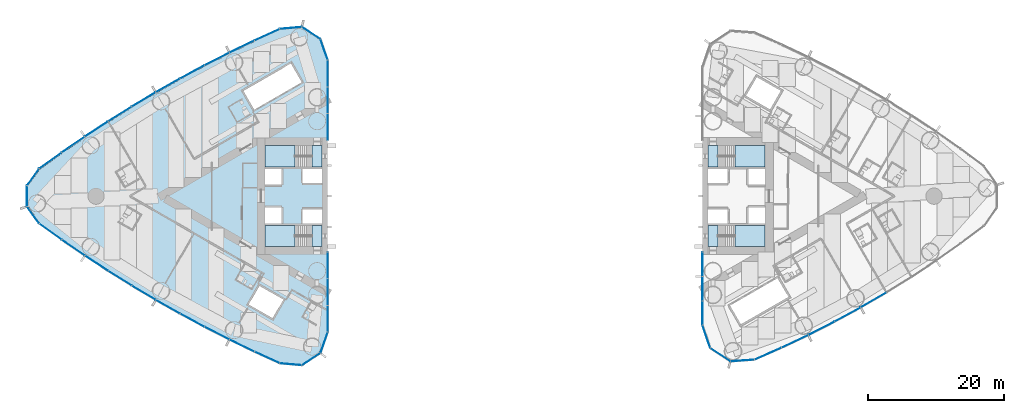
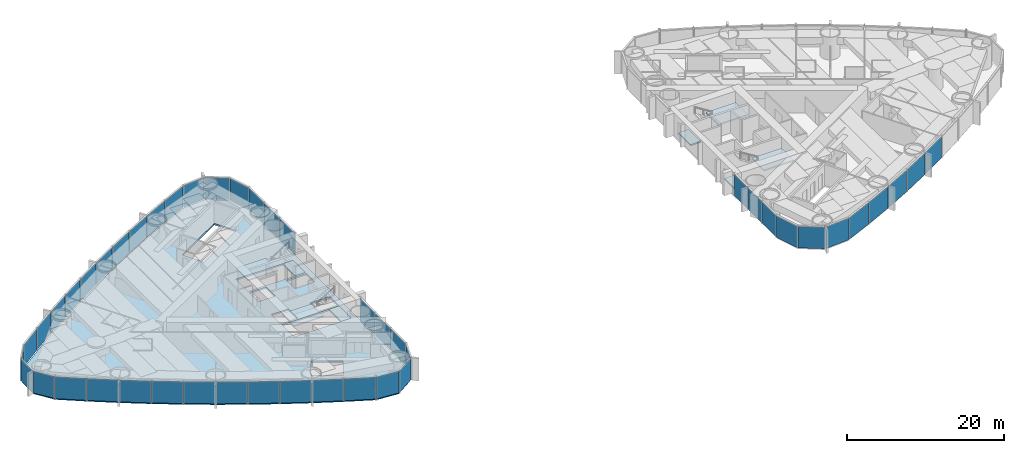
# One storey, part 9 of 18: 46 plates, 9 slabs, 6 elements without a shape of their own.
"""IFC4 building model written with IfcOpenShell, lengths in metres."""

from ifc_helpers import new_model, si_unit, direction, frame, origin, origin_2d, place, context, subcontext, project, spatial, polyline, rectangle, outline, extrude, material, layer, layer_set, type_object, element, aggregate, save


model = new_model("IFC4")

# Units and contexts
model_context = context("Model", 3, precision=1e-05, world=origin(), true_north=direction((0.0, 1.0)))
body_context = subcontext(model_context, "Body", "Model", "MODEL_VIEW")
ifc_project = project(units=[si_unit("LENGTHUNIT", "METRE"), si_unit("AREAUNIT", "SQUARE_METRE"), si_unit("VOLUMEUNIT", "CUBIC_METRE"), si_unit("PLANEANGLEUNIT", "RADIAN"), si_unit("MASSUNIT", "GRAM", prefix="KILO")], contexts=[model_context])

# Site, building, storey
site_placement = place(None, origin())
site = spatial("IfcSite", under=ifc_project, at=site_placement, CompositionType="ELEMENT")
building_placement = place(site_placement, origin())
building = spatial("IfcBuilding", under=site, at=building_placement, Name="Lancet Gate Hotel", CompositionType="ELEMENT")
storey_placement = place(building_placement, frame((0.0, 0.0, 104.60009765625)))
storey = spatial("IfcBuildingStorey", under=building, at=storey_placement, Name="L27", CompositionType="ELEMENT", Elevation=104.60009765625)

# Slab
ifc_material_1 = material(Name="Concrete C50/60", Category="concrete")
ifc_layer_1 = layer(ifc_material_1, 0.25)
ifc_layer_set_1 = layer_set([ifc_layer_1], Name="Floor slab 250")
slab_type_1 = type_object("IfcSlabType", Name="Floor slab 250", PredefinedType="FLOOR", material=ifc_layer_set_1)
slab_1_placement = place(storey_placement, frame((0.0, 0.0, -0.25)))
element("IfcSlab", 1, at=slab_1_placement, inside=storey, type_object=slab_type_1, Name="T1 L27 floor slab", PredefinedType="FLOOR", context=body_context, shape_type="SweptSolid", body=[
    extrude(outline(polyline([(-27.5, 8.60009765625), (-27.6201171875, 8.60009765625), (-27.6201171875, 19.950927734375), (-28.65966796875, 22.970947265625), (-31.320068359375, 24.69921875), (-34.5009765625, 24.421630859375), (-38.201416015625, 22.727783203125), (-41.8818359375, 20.946044921875), (-45.523193359375, 19.085693359375), (-49.12353515625, 17.147216796875), (-52.681396484375, 15.131591796875), (-56.195068359375, 13.0400390625), (-59.662841796875, 10.873291015625), (-63.0830078125, 8.63232421875), (-66.454345703125, 6.318115234375), (-69.76025390625, 3.94287109375), (-71.523193359375, 1.49755859375), (-71.523193359375, -1.49755859375), (-69.76025390625, -3.94287109375), (-66.454345703125, -6.318115234375), (-63.0830078125, -8.63232421875), (-59.662841796875, -10.873291015625), (-56.195068359375, -13.0400390625), (-52.681396484375, -15.131591796875), (-49.12353515625, -17.147216796875), (-45.523193359375, -19.085693359375), (-41.8818359375, -20.946044921875), (-38.201416015625, -22.727783203125), (-34.5009765625, -24.421630859375), (-31.320068359375, -24.69921875), (-28.65966796875, -22.970947265625), (-27.6201171875, -19.950927734375), (-27.6201171875, -8.60009765625), (-27.5, -8.60009765625), (-27.5, -8.199951171875), (-27.5, 8.199951171875), (-27.5, 8.60009765625)]), holes=[polyline([(-36.699951171875, 7.39990234375), (-36.699951171875, 4.300048828125), (-28.300048828125, 4.300048828125), (-28.300048828125, 7.39990234375), (-36.699951171875, 7.39990234375)]), polyline([(-28.300048828125, 4.0), (-31.199951171875, 4.0), (-31.199951171875, 1.89990234375), (-28.300048828125, 1.89990234375), (-28.300048828125, 4.0)]), polyline([(-34.25, 4.0), (-36.699951171875, 4.0), (-36.699951171875, 1.64990234375), (-34.25, 1.64990234375), (-34.25, 4.0)]), polyline([(-36.699951171875, -1.64990234375), (-36.699951171875, -4.0), (-34.25, -4.0), (-34.25, -1.64990234375), (-36.699951171875, -1.64990234375)]), polyline([(-28.300048828125, -1.89990234375), (-31.199951171875, -1.89990234375), (-31.199951171875, -4.0), (-28.300048828125, -4.0), (-28.300048828125, -1.89990234375)]), polyline([(-28.300048828125, -4.300048828125), (-36.699951171875, -4.300048828125), (-36.699951171875, -7.39990234375), (-28.300048828125, -7.39990234375), (-28.300048828125, -4.300048828125)]), polyline([(-31.2900390625, 16.73095703125), (-32.889892578125, 19.501953125), (-39.904052734375, 15.451904296875), (-38.303955078125, 12.680908203125), (-31.2900390625, 16.73095703125)]), polyline([(-33.97412109375, -15.180908203125), (-37.52490234375, -13.131103515625), (-39.125, -15.902099609375), (-35.573974609375, -17.951904296875), (-33.97412109375, -15.180908203125)])]), origin(), (0.0, 0.0, 1.0), 0.25),
])

# Stair, slabs
ifc_material_2 = material(Name="Exit stair 20 risers 1500")
stair_type = type_object("IfcStairType", Name="Exit stair 20 risers 1500", PredefinedType="HALF_TURN_STAIR", material=ifc_material_2)
stair_1_placement = place(storey_placement, origin())
stair_1 = element("IfcStair", 2, at=stair_1_placement, inside=storey, type_object=stair_type, Name="T1 stair 1 L27", PredefinedType="HALF_TURN_STAIR")
ifc_material_3 = material(Name="Concrete C40/50", Category="concrete")
ifc_layer_2 = layer(ifc_material_3, 0.199951171875)
ifc_layer_set_2 = layer_set([ifc_layer_2], Name="Stair landing 200")
slab_type_2 = type_object("IfcSlabType", Name="Stair landing 200", PredefinedType="LANDING", material=ifc_layer_set_2)
slab_2_placement = place(storey_placement, frame((0.0, 0.0, -0.2001953125)))
slab_2 = element("IfcSlab", 3, at=slab_2_placement, type_object=slab_type_2, Name="ST1 landing 1", PredefinedType="LANDING", context=body_context, shape_type="SweptSolid", body=[
    extrude(outline(polyline([(-28.300048828125, 7.39990234375), (-29.800048828125, 7.39990234375), (-29.800048828125, 4.300048828125), (-28.300048828125, 4.300048828125), (-28.300048828125, 7.39990234375)])), origin(), (0.0, 0.0, 1.0), 0.2001953125),
])
slab_3_placement = place(storey_placement, frame((0.0, 0.0, 1.5498046875)))
slab_3 = element("IfcSlab", 4, at=slab_3_placement, type_object=slab_type_2, Name="ST1 landing 2", PredefinedType="LANDING", context=body_context, shape_type="SweptSolid", body=[
    extrude(outline(polyline([(-32.320068359375, 7.39990234375), (-36.699951171875, 7.39990234375), (-36.699951171875, 4.300048828125), (-32.320068359375, 4.300048828125), (-32.320068359375, 7.39990234375)])), origin(), (0.0, 0.0, 1.0), 0.2001953125),
])
aggregate(stair_1, [slab_2, slab_3])

stair_2_placement = place(storey_placement, origin())
stair_2 = element("IfcStair", 5, at=stair_2_placement, inside=storey, type_object=stair_type, Name="T1 stair 2 L27", PredefinedType="HALF_TURN_STAIR")
slab_4_placement = place(storey_placement, frame((0.0, 0.0, -0.2001953125)))
slab_4 = element("IfcSlab", 6, at=slab_4_placement, type_object=slab_type_2, Name="ST2 landing 1", PredefinedType="LANDING", context=body_context, shape_type="SweptSolid", body=[
    extrude(outline(polyline([(-28.300048828125, -4.300048828125), (-29.800048828125, -4.300048828125), (-29.800048828125, -7.39990234375), (-28.300048828125, -7.39990234375), (-28.300048828125, -4.300048828125)])), origin(), (0.0, 0.0, 1.0), 0.2001953125),
])
slab_5_placement = place(storey_placement, frame((0.0, 0.0, 1.5498046875)))
slab_5 = element("IfcSlab", 7, at=slab_5_placement, type_object=slab_type_2, Name="ST2 landing 2", PredefinedType="LANDING", context=body_context, shape_type="SweptSolid", body=[
    extrude(outline(polyline([(-32.320068359375, -4.300048828125), (-36.699951171875, -4.300048828125), (-36.699951171875, -7.39990234375), (-32.320068359375, -7.39990234375), (-32.320068359375, -4.300048828125)])), origin(), (0.0, 0.0, 1.0), 0.2001953125),
])
aggregate(stair_2, [slab_4, slab_5])

stair_3_placement = place(storey_placement, origin())
stair_3 = element("IfcStair", 8, at=stair_3_placement, inside=storey, type_object=stair_type, Name="T2 stair 1 L27", PredefinedType="HALF_TURN_STAIR")
slab_6_placement = place(storey_placement, frame((0.0, 0.0, -0.2001953125)))
slab_6 = element("IfcSlab", 9, at=slab_6_placement, type_object=slab_type_2, Name="ST3 landing 1", PredefinedType="LANDING", context=body_context, shape_type="SweptSolid", body=[
    extrude(outline(polyline([(28.300048828125, -7.39990234375), (29.800048828125, -7.39990234375), (29.800048828125, -4.300048828125), (28.300048828125, -4.300048828125), (28.300048828125, -7.39990234375)])), origin(), (0.0, 0.0, 1.0), 0.2001953125),
])
slab_7_placement = place(storey_placement, frame((0.0, 0.0, 1.5498046875)))
slab_7 = element("IfcSlab", 10, at=slab_7_placement, type_object=slab_type_2, Name="ST3 landing 2", PredefinedType="LANDING", context=body_context, shape_type="SweptSolid", body=[
    extrude(outline(polyline([(32.320068359375, -7.39990234375), (36.699951171875, -7.39990234375), (36.699951171875, -4.300048828125), (32.320068359375, -4.300048828125), (32.320068359375, -7.39990234375)])), origin(), (0.0, 0.0, 1.0), 0.2001953125),
])
aggregate(stair_3, [slab_6, slab_7])

stair_4_placement = place(storey_placement, origin())
stair_4 = element("IfcStair", 11, at=stair_4_placement, inside=storey, type_object=stair_type, Name="T2 stair 2 L27", PredefinedType="HALF_TURN_STAIR")
slab_8_placement = place(storey_placement, frame((0.0, 0.0, -0.2001953125)))
slab_8 = element("IfcSlab", 12, at=slab_8_placement, type_object=slab_type_2, Name="ST4 landing 1", PredefinedType="LANDING", context=body_context, shape_type="SweptSolid", body=[
    extrude(outline(polyline([(28.300048828125, 4.300048828125), (29.800048828125, 4.300048828125), (29.800048828125, 7.39990234375), (28.300048828125, 7.39990234375), (28.300048828125, 4.300048828125)])), origin(), (0.0, 0.0, 1.0), 0.2001953125),
])
slab_9_placement = place(storey_placement, frame((0.0, 0.0, 1.5498046875)))
slab_9 = element("IfcSlab", 13, at=slab_9_placement, type_object=slab_type_2, Name="ST4 landing 2", PredefinedType="LANDING", context=body_context, shape_type="SweptSolid", body=[
    extrude(outline(polyline([(32.320068359375, 4.300048828125), (36.699951171875, 4.300048828125), (36.699951171875, 7.39990234375), (32.320068359375, 7.39990234375), (32.320068359375, 4.300048828125)])), origin(), (0.0, 0.0, 1.0), 0.2001953125),
])
aggregate(stair_4, [slab_8, slab_9])

# Curtain wall, plates
ifc_material_4 = material(Name="Aluminium curtain wall", Category="aluminium")
curtain_wall_type = type_object("IfcCurtainWallType", Name="Tower unitised curtain wall", PredefinedType="USERDEFINED", material=ifc_material_4)
curtain_wall_1_placement = place(storey_placement, origin())
curtain_wall_1 = element("IfcCurtainWall", 14, at=curtain_wall_1_placement, inside=storey, type_object=curtain_wall_type, Name="T1 L27 curtain wall 1", ObjectType="UNITISED CURTAIN WALL", PredefinedType="USERDEFINED")
ifc_material_5 = material(Name="Glass double glazed unit 8-16-6", Category="glass")
ifc_layer_3 = layer(ifc_material_5, 0.030029296875)
ifc_layer_set_3 = layer_set([ifc_layer_3], Name="Vision panel double glazed")
plate_type = type_object("IfcPlateType", Name="Vision panel double glazed", PredefinedType="CURTAIN_PANEL", material=ifc_layer_set_3)
plate_1_placement = place(storey_placement, frame((-27.5, 10.161865234375, -0.000244140625), z_axis=(0.0, 0.0, 1.0), x_axis=(0.0, 1.0, 0.0)))
plate_1 = element("IfcPlate", 15, at=plate_1_placement, type_object=plate_type, Name="T1 L27 curtain wall 1 panel 1", PredefinedType="CURTAIN_PANEL", context=body_context, shape_type="SweptSolid", body=[
    extrude(rectangle(XDim=3.858642578125, YDim=0.030029296875, at=origin_2d()), origin(), (0.0, 0.0, 1.0), 3.35009765625),
])
plate_2_placement = place(storey_placement, frame((-27.5, 14.08544921875, -0.000244140625), z_axis=(0.0, 0.0, 1.0), x_axis=(0.0, 1.0, 0.0)))
plate_2 = element("IfcPlate", 16, at=plate_2_placement, type_object=plate_type, Name="T1 L27 curtain wall 1 panel 2", PredefinedType="CURTAIN_PANEL", context=body_context, shape_type="SweptSolid", body=[
    extrude(rectangle(XDim=3.858642578125, YDim=0.030029296875, at=origin_2d()), origin(), (0.0, 0.0, 1.0), 3.35009765625),
])
plate_3_placement = place(storey_placement, frame((-27.5, 18.00927734375, -0.000244140625), z_axis=(0.0, 0.0, 1.0), x_axis=(0.0, 1.0, 0.0)))
plate_3 = element("IfcPlate", 17, at=plate_3_placement, type_object=plate_type, Name="T1 L27 curtain wall 1 panel 3", PredefinedType="CURTAIN_PANEL", context=body_context, shape_type="SweptSolid", body=[
    extrude(rectangle(XDim=3.858642578125, YDim=0.030029296875, at=origin_2d()), origin(), (0.0, 0.0, 1.0), 3.35009765625),
])
plate_4_placement = place(storey_placement, frame((-28.02978515625, 21.510009765625, -0.000244140625), z_axis=(0.0, 0.0, 1.0), x_axis=(-0.325515820766, 0.945536593914, 0.0)))
plate_4 = element("IfcPlate", 18, at=plate_4_placement, type_object=plate_type, Name="T1 L27 curtain wall 1 panel 4", PredefinedType="CURTAIN_PANEL", context=body_context, shape_type="SweptSolid", body=[
    extrude(rectangle(XDim=3.190185546875, YDim=0.030029296875, at=origin_2d()), origin(), (0.0, 0.0, 1.0), 3.35009765625),
])
plate_5_placement = place(storey_placement, frame((-29.924560546875, 23.935546875, -0.000244140625), z_axis=(0.0, 0.0, 1.0), x_axis=(-0.838580121261, 0.544778285385, 0.0)))
plate_5 = element("IfcPlate", 19, at=plate_5_placement, type_object=plate_type, Name="T1 L27 curtain wall 1 panel 5", PredefinedType="CURTAIN_PANEL", context=body_context, shape_type="SweptSolid", body=[
    extrude(rectangle(XDim=3.190185546875, YDim=0.030029296875, at=origin_2d()), origin(), (0.0, 0.0, 1.0), 3.35009765625),
])
plate_6_placement = place(storey_placement, frame((-32.91064453125, 24.680908203125, -0.000244140625), z_axis=(0.0, 0.0, 1.0), x_axis=(-0.996218779711, -0.086880049207, 0.0)))
plate_6 = element("IfcPlate", 20, at=plate_6_placement, type_object=plate_type, Name="T1 L27 curtain wall 1 panel 6", PredefinedType="CURTAIN_PANEL", context=body_context, shape_type="SweptSolid", body=[
    extrude(rectangle(XDim=3.190185546875, YDim=0.030029296875, at=origin_2d()), origin(), (0.0, 0.0, 1.0), 3.35009765625),
])
plate_7_placement = place(storey_placement, frame((-36.392333984375, 23.68798828125, -0.000244140625), z_axis=(0.0, 0.0, 1.0), x_axis=(-0.909252721243, -0.416244506166, 0.0)))
plate_7 = element("IfcPlate", 21, at=plate_7_placement, type_object=plate_type, Name="T1 L27 curtain wall 1 panel 7", PredefinedType="CURTAIN_PANEL", context=body_context, shape_type="SweptSolid", body=[
    extrude(rectangle(XDim=4.026611328125, YDim=0.030029296875, at=origin_2d()), origin(), (0.0, 0.0, 1.0), 3.35009765625),
])
plate_8_placement = place(storey_placement, frame((-40.093994140625, 21.945068359375, -0.000244140625), z_axis=(0.0, 0.0, 1.0), x_axis=(-0.900081672047, -0.435721222395, 0.0)))
plate_8 = element("IfcPlate", 22, at=plate_8_placement, type_object=plate_type, Name="T1 L27 curtain wall 1 panel 8", PredefinedType="CURTAIN_PANEL", context=body_context, shape_type="SweptSolid", body=[
    extrude(rectangle(XDim=4.026611328125, YDim=0.030029296875, at=origin_2d()), origin(), (0.0, 0.0, 1.0), 3.35009765625),
])
plate_9_placement = place(storey_placement, frame((-43.757080078125, 20.122802734375, -0.000244140625), z_axis=(0.0, 0.0, 1.0), x_axis=(-0.890493479451, -0.45499600334, 0.0)))
plate_9 = element("IfcPlate", 23, at=plate_9_placement, type_object=plate_type, Name="T1 L27 curtain wall 1 panel 9", PredefinedType="CURTAIN_PANEL", context=body_context, shape_type="SweptSolid", body=[
    extrude(rectangle(XDim=4.026611328125, YDim=0.030029296875, at=origin_2d()), origin(), (0.0, 0.0, 1.0), 3.35009765625),
])
plate_10_placement = place(storey_placement, frame((-47.380126953125, 18.221923828125, -0.000244140625), z_axis=(0.0, 0.0, 1.0), x_axis=(-0.880492587094, -0.474059916121, 0.0)))
plate_10 = element("IfcPlate", 24, at=plate_10_placement, type_object=plate_type, Name="T1 L27 curtain wall 1 panel 10", PredefinedType="CURTAIN_PANEL", context=body_context, shape_type="SweptSolid", body=[
    extrude(rectangle(XDim=4.026611328125, YDim=0.030029296875, at=origin_2d()), origin(), (0.0, 0.0, 1.0), 3.35009765625),
])
plate_11_placement = place(storey_placement, frame((-50.961669921875, 16.243896484375, -0.000244140625), z_axis=(0.0, 0.0, 1.0), x_axis=(-0.870083629903, -0.49290412554, 0.0)))
plate_11 = element("IfcPlate", 25, at=plate_11_placement, type_object=plate_type, Name="T1 L27 curtain wall 1 panel 11", PredefinedType="CURTAIN_PANEL", context=body_context, shape_type="SweptSolid", body=[
    extrude(rectangle(XDim=4.026611328125, YDim=0.030029296875, at=origin_2d()), origin(), (0.0, 0.0, 1.0), 3.35009765625),
])
plate_12_placement = place(storey_placement, frame((-54.49951171875, 14.18896484375, -0.000244140625), z_axis=(0.0, 0.0, 1.0), x_axis=(-0.859271431916, -0.511519898238, 0.0)))
plate_12 = element("IfcPlate", 26, at=plate_12_placement, type_object=plate_type, Name="T1 L27 curtain wall 1 panel 12", PredefinedType="CURTAIN_PANEL", context=body_context, shape_type="SweptSolid", body=[
    extrude(rectangle(XDim=4.026611328125, YDim=0.030029296875, at=origin_2d()), origin(), (0.0, 0.0, 1.0), 3.35009765625),
])
plate_13_placement = place(storey_placement, frame((-57.992431640625, 12.058349609375, -0.000244140625), z_axis=(0.0, 0.0, 1.0), x_axis=(-0.848061004052, -0.529898606722, 0.0)))
plate_13 = element("IfcPlate", 27, at=plate_13_placement, type_object=plate_type, Name="T1 L27 curtain wall 1 panel 13", PredefinedType="CURTAIN_PANEL", context=body_context, shape_type="SweptSolid", body=[
    extrude(rectangle(XDim=4.026611328125, YDim=0.030029296875, at=origin_2d()), origin(), (0.0, 0.0, 1.0), 3.35009765625),
])
plate_14_placement = place(storey_placement, frame((-61.438720703125, 9.85302734375, -0.000244140625), z_axis=(0.0, 0.0, 1.0), x_axis=(-0.836457541791, -0.54803173337, 0.0)))
plate_14 = element("IfcPlate", 28, at=plate_14_placement, type_object=plate_type, Name="T1 L27 curtain wall 1 panel 14", PredefinedType="CURTAIN_PANEL", context=body_context, shape_type="SweptSolid", body=[
    extrude(rectangle(XDim=4.026611328125, YDim=0.030029296875, at=origin_2d()), origin(), (0.0, 0.0, 1.0), 3.35009765625),
])
plate_15_placement = place(storey_placement, frame((-64.836669921875, 7.57421875, -0.000244140625), z_axis=(0.0, 0.0, 1.0), x_axis=(-0.824466422775, -0.565910874357, 0.0)))
plate_15 = element("IfcPlate", 29, at=plate_15_placement, type_object=plate_type, Name="T1 L27 curtain wall 1 panel 15", PredefinedType="CURTAIN_PANEL", context=body_context, shape_type="SweptSolid", body=[
    extrude(rectangle(XDim=4.026611328125, YDim=0.030029296875, at=origin_2d()), origin(), (0.0, 0.0, 1.0), 3.35009765625),
])
plate_16_placement = place(storey_placement, frame((-68.184814453125, 5.22265625, -0.000244140625), z_axis=(0.0, 0.0, 1.0), x_axis=(-0.812093204276, -0.583527743615, 0.0)))
plate_16 = element("IfcPlate", 30, at=plate_16_placement, type_object=plate_type, Name="T1 L27 curtain wall 1 panel 16", PredefinedType="CURTAIN_PANEL", context=body_context, shape_type="SweptSolid", body=[
    extrude(rectangle(XDim=4.026611328125, YDim=0.030029296875, at=origin_2d()), origin(), (0.0, 0.0, 1.0), 3.35009765625),
])
plate_17_placement = place(storey_placement, frame((-70.74462890625, 2.782470703125, -0.000244140625), z_axis=(0.0, 0.0, 1.0), x_axis=(-0.584808645706, -0.811171281486, 0.0)))
plate_17 = element("IfcPlate", 31, at=plate_17_placement, type_object=plate_type, Name="T1 L27 curtain wall 1 panel 17", PredefinedType="CURTAIN_PANEL", context=body_context, shape_type="SweptSolid", body=[
    extrude(rectangle(XDim=3.0078125, YDim=0.030029296875, at=origin_2d()), origin(), (0.0, 0.0, 1.0), 3.35009765625),
])
plate_18_placement = place(storey_placement, frame((-71.64306640625, 0.0, -0.000244140625), z_axis=(0.0, 0.0, 1.0), x_axis=(0.0, -1.0, 0.0)))
plate_18 = element("IfcPlate", 32, at=plate_18_placement, type_object=plate_type, Name="T1 L27 curtain wall 1 panel 18", PredefinedType="CURTAIN_PANEL", context=body_context, shape_type="SweptSolid", body=[
    extrude(rectangle(XDim=3.0078125, YDim=0.030029296875, at=origin_2d()), origin(), (0.0, 0.0, 1.0), 3.35009765625),
])
plate_19_placement = place(storey_placement, frame((-70.74462890625, -2.782470703125, -0.000244140625), z_axis=(0.0, 0.0, 1.0), x_axis=(0.584808645706, -0.811171281486, 0.0)))
plate_19 = element("IfcPlate", 33, at=plate_19_placement, type_object=plate_type, Name="T1 L27 curtain wall 1 panel 19", PredefinedType="CURTAIN_PANEL", context=body_context, shape_type="SweptSolid", body=[
    extrude(rectangle(XDim=3.0078125, YDim=0.030029296875, at=origin_2d()), origin(), (0.0, 0.0, 1.0), 3.35009765625),
])
plate_20_placement = place(storey_placement, frame((-68.184814453125, -5.22265625, -0.000244140625), z_axis=(0.0, 0.0, 1.0), x_axis=(0.812093204276, -0.583527743615, 0.0)))
plate_20 = element("IfcPlate", 34, at=plate_20_placement, type_object=plate_type, Name="T1 L27 curtain wall 1 panel 20", PredefinedType="CURTAIN_PANEL", context=body_context, shape_type="SweptSolid", body=[
    extrude(rectangle(XDim=4.026611328125, YDim=0.030029296875, at=origin_2d()), origin(), (0.0, 0.0, 1.0), 3.35009765625),
])
plate_21_placement = place(storey_placement, frame((-64.836669921875, -7.57421875, -0.000244140625), z_axis=(0.0, 0.0, 1.0), x_axis=(0.824466422775, -0.565910874357, 0.0)))
plate_21 = element("IfcPlate", 35, at=plate_21_placement, type_object=plate_type, Name="T1 L27 curtain wall 1 panel 21", PredefinedType="CURTAIN_PANEL", context=body_context, shape_type="SweptSolid", body=[
    extrude(rectangle(XDim=4.026611328125, YDim=0.030029296875, at=origin_2d()), origin(), (0.0, 0.0, 1.0), 3.35009765625),
])
plate_22_placement = place(storey_placement, frame((-61.438720703125, -9.85302734375, -0.000244140625), z_axis=(0.0, 0.0, 1.0), x_axis=(0.836457541791, -0.54803173337, 0.0)))
plate_22 = element("IfcPlate", 36, at=plate_22_placement, type_object=plate_type, Name="T1 L27 curtain wall 1 panel 22", PredefinedType="CURTAIN_PANEL", context=body_context, shape_type="SweptSolid", body=[
    extrude(rectangle(XDim=4.026611328125, YDim=0.030029296875, at=origin_2d()), origin(), (0.0, 0.0, 1.0), 3.35009765625),
])
plate_23_placement = place(storey_placement, frame((-57.992431640625, -12.058349609375, -0.000244140625), z_axis=(0.0, 0.0, 1.0), x_axis=(0.848061004052, -0.529898606722, 0.0)))
plate_23 = element("IfcPlate", 37, at=plate_23_placement, type_object=plate_type, Name="T1 L27 curtain wall 1 panel 23", PredefinedType="CURTAIN_PANEL", context=body_context, shape_type="SweptSolid", body=[
    extrude(rectangle(XDim=4.026611328125, YDim=0.030029296875, at=origin_2d()), origin(), (0.0, 0.0, 1.0), 3.35009765625),
])
plate_24_placement = place(storey_placement, frame((-54.49951171875, -14.18896484375, -0.000244140625), z_axis=(0.0, 0.0, 1.0), x_axis=(0.859271431916, -0.511519898238, 0.0)))
plate_24 = element("IfcPlate", 38, at=plate_24_placement, type_object=plate_type, Name="T1 L27 curtain wall 1 panel 24", PredefinedType="CURTAIN_PANEL", context=body_context, shape_type="SweptSolid", body=[
    extrude(rectangle(XDim=4.026611328125, YDim=0.030029296875, at=origin_2d()), origin(), (0.0, 0.0, 1.0), 3.35009765625),
])
plate_25_placement = place(storey_placement, frame((-50.961669921875, -16.243896484375, -0.000244140625), z_axis=(0.0, 0.0, 1.0), x_axis=(0.870083629903, -0.49290412554, 0.0)))
plate_25 = element("IfcPlate", 39, at=plate_25_placement, type_object=plate_type, Name="T1 L27 curtain wall 1 panel 25", PredefinedType="CURTAIN_PANEL", context=body_context, shape_type="SweptSolid", body=[
    extrude(rectangle(XDim=4.026611328125, YDim=0.030029296875, at=origin_2d()), origin(), (0.0, 0.0, 1.0), 3.35009765625),
])
plate_26_placement = place(storey_placement, frame((-47.380126953125, -18.221923828125, -0.000244140625), z_axis=(0.0, 0.0, 1.0), x_axis=(0.880492587094, -0.474059916121, 0.0)))
plate_26 = element("IfcPlate", 40, at=plate_26_placement, type_object=plate_type, Name="T1 L27 curtain wall 1 panel 26", PredefinedType="CURTAIN_PANEL", context=body_context, shape_type="SweptSolid", body=[
    extrude(rectangle(XDim=4.026611328125, YDim=0.030029296875, at=origin_2d()), origin(), (0.0, 0.0, 1.0), 3.35009765625),
])
plate_27_placement = place(storey_placement, frame((-43.757080078125, -20.122802734375, -0.000244140625), z_axis=(0.0, 0.0, 1.0), x_axis=(0.890493479451, -0.45499600334, 0.0)))
plate_27 = element("IfcPlate", 41, at=plate_27_placement, type_object=plate_type, Name="T1 L27 curtain wall 1 panel 27", PredefinedType="CURTAIN_PANEL", context=body_context, shape_type="SweptSolid", body=[
    extrude(rectangle(XDim=4.026611328125, YDim=0.030029296875, at=origin_2d()), origin(), (0.0, 0.0, 1.0), 3.35009765625),
])
plate_28_placement = place(storey_placement, frame((-40.093994140625, -21.945068359375, -0.000244140625), z_axis=(0.0, 0.0, 1.0), x_axis=(0.900081672047, -0.435721222395, 0.0)))
plate_28 = element("IfcPlate", 42, at=plate_28_placement, type_object=plate_type, Name="T1 L27 curtain wall 1 panel 28", PredefinedType="CURTAIN_PANEL", context=body_context, shape_type="SweptSolid", body=[
    extrude(rectangle(XDim=4.026611328125, YDim=0.030029296875, at=origin_2d()), origin(), (0.0, 0.0, 1.0), 3.35009765625),
])
plate_29_placement = place(storey_placement, frame((-36.392333984375, -23.68798828125, -0.000244140625), z_axis=(0.0, 0.0, 1.0), x_axis=(0.909252721243, -0.416244506166, 0.0)))
plate_29 = element("IfcPlate", 43, at=plate_29_placement, type_object=plate_type, Name="T1 L27 curtain wall 1 panel 29", PredefinedType="CURTAIN_PANEL", context=body_context, shape_type="SweptSolid", body=[
    extrude(rectangle(XDim=4.026611328125, YDim=0.030029296875, at=origin_2d()), origin(), (0.0, 0.0, 1.0), 3.35009765625),
])
plate_30_placement = place(storey_placement, frame((-32.91064453125, -24.680908203125, -0.000244140625), z_axis=(0.0, 0.0, 1.0), x_axis=(0.996218779711, -0.086880049207, 0.0)))
plate_30 = element("IfcPlate", 44, at=plate_30_placement, type_object=plate_type, Name="T1 L27 curtain wall 1 panel 30", PredefinedType="CURTAIN_PANEL", context=body_context, shape_type="SweptSolid", body=[
    extrude(rectangle(XDim=3.190185546875, YDim=0.030029296875, at=origin_2d()), origin(), (0.0, 0.0, 1.0), 3.35009765625),
])
plate_31_placement = place(storey_placement, frame((-29.924560546875, -23.935546875, -0.000244140625), z_axis=(0.0, 0.0, 1.0), x_axis=(0.838580121261, 0.544778285385, 0.0)))
plate_31 = element("IfcPlate", 45, at=plate_31_placement, type_object=plate_type, Name="T1 L27 curtain wall 1 panel 31", PredefinedType="CURTAIN_PANEL", context=body_context, shape_type="SweptSolid", body=[
    extrude(rectangle(XDim=3.190185546875, YDim=0.030029296875, at=origin_2d()), origin(), (0.0, 0.0, 1.0), 3.35009765625),
])
plate_32_placement = place(storey_placement, frame((-28.02978515625, -21.510009765625, -0.000244140625), z_axis=(0.0, 0.0, 1.0), x_axis=(0.325515820766, 0.945536593914, 0.0)))
plate_32 = element("IfcPlate", 46, at=plate_32_placement, type_object=plate_type, Name="T1 L27 curtain wall 1 panel 32", PredefinedType="CURTAIN_PANEL", context=body_context, shape_type="SweptSolid", body=[
    extrude(rectangle(XDim=3.190185546875, YDim=0.030029296875, at=origin_2d()), origin(), (0.0, 0.0, 1.0), 3.35009765625),
])
plate_33_placement = place(storey_placement, frame((-27.5, -18.00927734375, -0.000244140625), z_axis=(0.0, 0.0, 1.0), x_axis=(0.0, 1.0, 0.0)))
plate_33 = element("IfcPlate", 47, at=plate_33_placement, type_object=plate_type, Name="T1 L27 curtain wall 1 panel 33", PredefinedType="CURTAIN_PANEL", context=body_context, shape_type="SweptSolid", body=[
    extrude(rectangle(XDim=3.858642578125, YDim=0.030029296875, at=origin_2d()), origin(), (0.0, 0.0, 1.0), 3.35009765625),
])
plate_34_placement = place(storey_placement, frame((-27.5, -14.08544921875, -0.000244140625), z_axis=(0.0, 0.0, 1.0), x_axis=(0.0, 1.0, 0.0)))
plate_34 = element("IfcPlate", 48, at=plate_34_placement, type_object=plate_type, Name="T1 L27 curtain wall 1 panel 34", PredefinedType="CURTAIN_PANEL", context=body_context, shape_type="SweptSolid", body=[
    extrude(rectangle(XDim=3.858642578125, YDim=0.030029296875, at=origin_2d()), origin(), (0.0, 0.0, 1.0), 3.35009765625),
])
plate_35_placement = place(storey_placement, frame((-27.5, -10.161865234375, -0.000244140625), z_axis=(0.0, 0.0, 1.0), x_axis=(0.0, 1.0, 0.0)))
plate_35 = element("IfcPlate", 49, at=plate_35_placement, type_object=plate_type, Name="T1 L27 curtain wall 1 panel 35", PredefinedType="CURTAIN_PANEL", context=body_context, shape_type="SweptSolid", body=[
    extrude(rectangle(XDim=3.858642578125, YDim=0.030029296875, at=origin_2d()), origin(), (0.0, 0.0, 1.0), 3.35009765625),
])
aggregate(curtain_wall_1, [plate_1, plate_2, plate_3, plate_4, plate_5, plate_6, plate_7, plate_8, plate_9, plate_10, plate_11, plate_12, plate_13, plate_14, plate_15, plate_16, plate_17, plate_18, plate_19, plate_20, plate_21, plate_22, plate_23, plate_24, plate_25, plate_26, plate_27, plate_28, plate_29, plate_30, plate_31, plate_32, plate_33, plate_34, plate_35])

curtain_wall_2_placement = place(storey_placement, origin())
curtain_wall_2 = element("IfcCurtainWall", 50, at=curtain_wall_2_placement, inside=storey, type_object=curtain_wall_type, Name="T2 L27 curtain wall 1", ObjectType="UNITISED CURTAIN WALL", PredefinedType="USERDEFINED")
plate_36_placement = place(storey_placement, frame((27.5, -9.990478515625, -0.000244140625), z_axis=(0.0, 0.0, 1.0), x_axis=(0.0, -1.0, 0.0)))
plate_36 = element("IfcPlate", 51, at=plate_36_placement, type_object=plate_type, Name="T2 L27 curtain wall 1 panel 1", PredefinedType="CURTAIN_PANEL", context=body_context, shape_type="SweptSolid", body=[
    extrude(rectangle(XDim=3.515869140625, YDim=0.030029296875, at=origin_2d()), origin(), (0.0, 0.0, 1.0), 3.35009765625),
])
plate_37_placement = place(storey_placement, frame((27.5, -13.571533203125, -0.000244140625), z_axis=(0.0, 0.0, 1.0), x_axis=(0.0, -1.0, 0.0)))
plate_37 = element("IfcPlate", 52, at=plate_37_placement, type_object=plate_type, Name="T2 L27 curtain wall 1 panel 2", PredefinedType="CURTAIN_PANEL", context=body_context, shape_type="SweptSolid", body=[
    extrude(rectangle(XDim=3.515869140625, YDim=0.030029296875, at=origin_2d()), origin(), (0.0, 0.0, 1.0), 3.35009765625),
])
plate_38_placement = place(storey_placement, frame((27.5, -17.15234375, -0.000244140625), z_axis=(0.0, 0.0, 1.0), x_axis=(0.0, -1.0, 0.0)))
plate_38 = element("IfcPlate", 53, at=plate_38_placement, type_object=plate_type, Name="T2 L27 curtain wall 1 panel 3", PredefinedType="CURTAIN_PANEL", context=body_context, shape_type="SweptSolid", body=[
    extrude(rectangle(XDim=3.515869140625, YDim=0.030029296875, at=origin_2d()), origin(), (0.0, 0.0, 1.0), 3.35009765625),
])
plate_39_placement = place(storey_placement, frame((28.072265625, -20.622314453125, -0.000244140625), z_axis=(0.0, 0.0, 1.0), x_axis=(0.32257568891, -0.946543673015, 0.0)))
plate_39 = element("IfcPlate", 54, at=plate_39_placement, type_object=plate_type, Name="T2 L27 curtain wall 1 panel 4", PredefinedType="CURTAIN_PANEL", context=body_context, shape_type="SweptSolid", body=[
    extrude(rectangle(XDim=3.4833984375, YDim=0.030029296875, at=origin_2d()), origin(), (0.0, 0.0, 1.0), 3.35009765625),
])
plate_40_placement = place(storey_placement, frame((30.123291015625, -23.281982421875, -0.000244140625), z_axis=(0.0, 0.0, 1.0), x_axis=(0.833464516611, -0.552572981198, 0.0)))
plate_40 = element("IfcPlate", 55, at=plate_40_placement, type_object=plate_type, Name="T2 L27 curtain wall 1 panel 5", PredefinedType="CURTAIN_PANEL", context=body_context, shape_type="SweptSolid", body=[
    extrude(rectangle(XDim=3.4833984375, YDim=0.030029296875, at=origin_2d()), origin(), (0.0, 0.0, 1.0), 3.35009765625),
])
plate_41_placement = place(storey_placement, frame((33.37158203125, -24.1357421875, -0.000244140625), z_axis=(0.0, 0.0, 1.0), x_axis=(0.997448492935, 0.07138980278, 0.0)))
plate_41 = element("IfcPlate", 56, at=plate_41_placement, type_object=plate_type, Name="T2 L27 curtain wall 1 panel 6", PredefinedType="CURTAIN_PANEL", context=body_context, shape_type="SweptSolid", body=[
    extrude(rectangle(XDim=3.4833984375, YDim=0.030029296875, at=origin_2d()), origin(), (0.0, 0.0, 1.0), 3.35009765625),
])
plate_42_placement = place(storey_placement, frame((37.13134765625, -23.13427734375, -0.000244140625), z_axis=(0.0, 0.0, 1.0), x_axis=(0.915478658759, 0.40236653111, 0.0)))
plate_42 = element("IfcPlate", 57, at=plate_42_placement, type_object=plate_type, Name="T2 L27 curtain wall 1 panel 7", PredefinedType="CURTAIN_PANEL", context=body_context, shape_type="SweptSolid", body=[
    extrude(rectangle(XDim=4.2822265625, YDim=0.030029296875, at=origin_2d()), origin(), (0.0, 0.0, 1.0), 3.35009765625),
])
plate_43_placement = place(storey_placement, frame((41.08544921875, -21.3291015625, -0.000244140625), z_axis=(0.0, 0.0, 1.0), x_axis=(0.903683440096, 0.428201167789, 0.0)))
plate_43 = element("IfcPlate", 58, at=plate_43_placement, type_object=plate_type, Name="T2 L27 curtain wall 1 panel 8", PredefinedType="CURTAIN_PANEL", context=body_context, shape_type="SweptSolid", body=[
    extrude(rectangle(XDim=4.2822265625, YDim=0.030029296875, at=origin_2d()), origin(), (0.0, 0.0, 1.0), 3.35009765625),
])
plate_44_placement = place(storey_placement, frame((44.98681640625, -19.412109375, -0.000244140625), z_axis=(0.0, 0.0, 1.0), x_axis=(0.891159350462, 0.453690436403, 0.0)))
plate_44 = element("IfcPlate", 59, at=plate_44_placement, type_object=plate_type, Name="T2 L27 curtain wall 1 panel 9", PredefinedType="CURTAIN_PANEL", context=body_context, shape_type="SweptSolid", body=[
    extrude(rectangle(XDim=4.2822265625, YDim=0.030029296875, at=origin_2d()), origin(), (0.0, 0.0, 1.0), 3.35009765625),
])
plate_45_placement = place(storey_placement, frame((48.832275390625, -17.38525390625, -0.000244140625), z_axis=(0.0, 0.0, 1.0), x_axis=(0.877916491224, 0.478813778454, 0.0)))
plate_45 = element("IfcPlate", 60, at=plate_45_placement, type_object=plate_type, Name="T2 L27 curtain wall 1 panel 10", PredefinedType="CURTAIN_PANEL", context=body_context, shape_type="SweptSolid", body=[
    extrude(rectangle(XDim=4.2822265625, YDim=0.030029296875, at=origin_2d()), origin(), (0.0, 0.0, 1.0), 3.35009765625),
])
plate_46_placement = place(storey_placement, frame((52.618408203125, -15.249755859375, -0.000244140625), z_axis=(0.0, 0.0, 1.0), x_axis=(0.863965543499, 0.503550930538, 0.0)))
plate_46 = element("IfcPlate", 61, at=plate_46_placement, type_object=plate_type, Name="T2 L27 curtain wall 1 panel 11", PredefinedType="CURTAIN_PANEL", context=body_context, shape_type="SweptSolid", body=[
    extrude(rectangle(XDim=4.2822265625, YDim=0.030029296875, at=origin_2d()), origin(), (0.0, 0.0, 1.0), 3.35009765625),
])
aggregate(curtain_wall_2, [plate_36, plate_37, plate_38, plate_39, plate_40, plate_41, plate_42, plate_43, plate_44, plate_45, plate_46])

save(model, "model.ifc")
